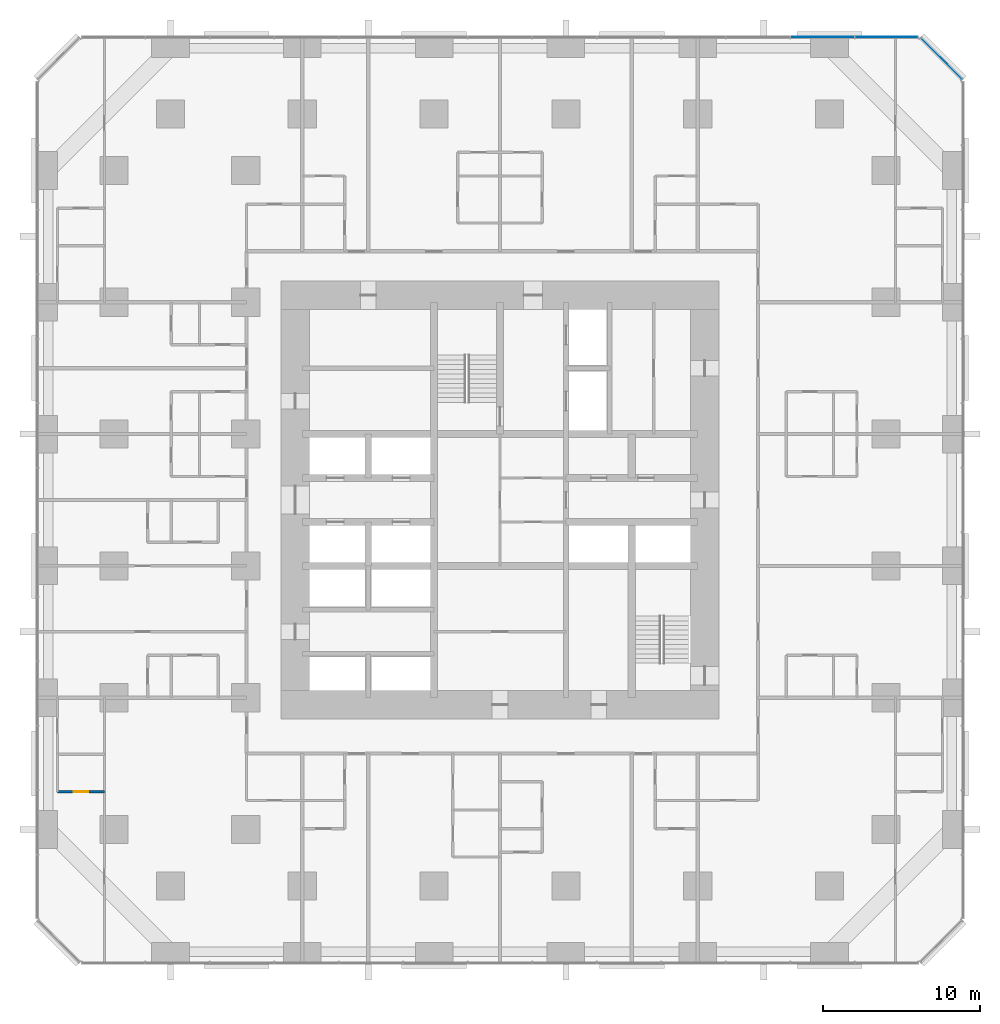
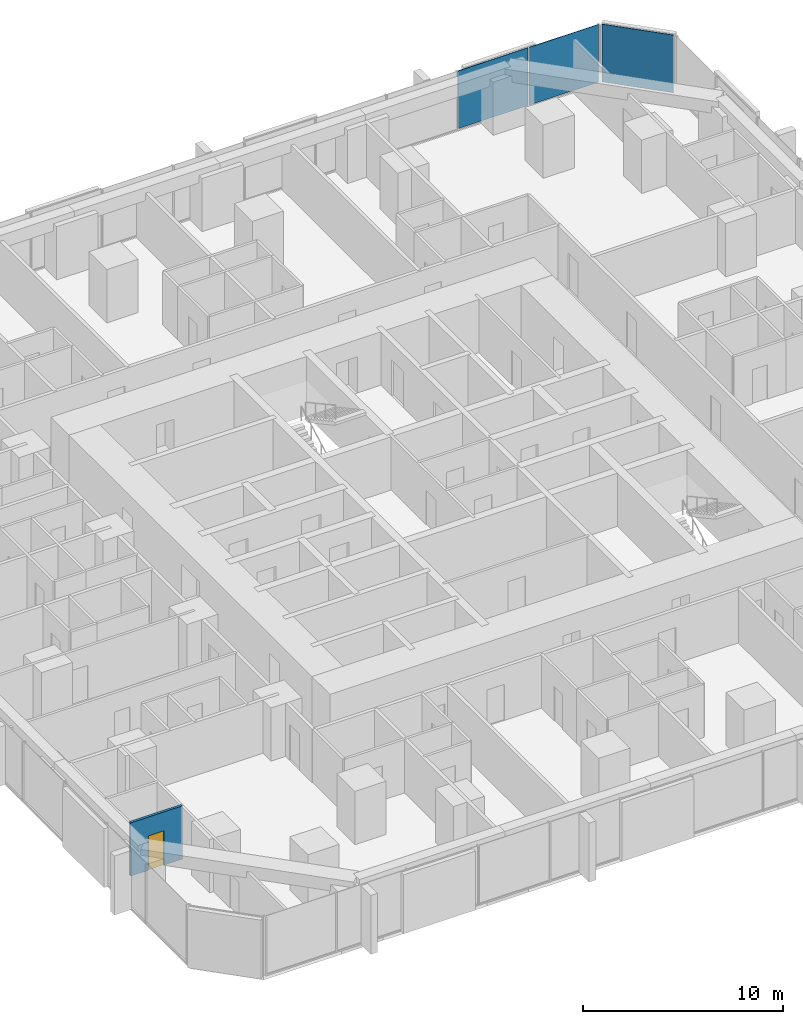
# One storey, part 10 of 17: 3 plates, 1 door, 1 wall, 1 opening, 2 elements without a shape of their own.
"""IFC4 building model written with IfcOpenShell, lengths in metres."""

from ifc_helpers import new_model, si_unit, direction, frame, frame_2d, origin, origin_2d, place, context, subcontext, project, spatial, rectangle, extrude, material, layer, layer_set, type_object, element, fill, aggregate, save


model = new_model("IFC4")

# Units and contexts
model_context = context("Model", 3, precision=1e-05, world=origin(), true_north=direction((0.0, 1.0)))
body_context = subcontext(model_context, "Body", "Model", "MODEL_VIEW")
ifc_project = project(units=[si_unit("LENGTHUNIT", "METRE"), si_unit("AREAUNIT", "SQUARE_METRE"), si_unit("VOLUMEUNIT", "CUBIC_METRE"), si_unit("PLANEANGLEUNIT", "RADIAN"), si_unit("MASSUNIT", "GRAM", prefix="KILO")], contexts=[model_context])

# Site, building, storey
site_placement = place(None, origin())
site = spatial("IfcSite", under=ifc_project, at=site_placement, CompositionType="ELEMENT")
building_placement = place(site_placement, origin())
building = spatial("IfcBuilding", under=site, at=building_placement, Name="Dunama Terrace Hotel", CompositionType="ELEMENT")
storey_placement = place(building_placement, frame((0.0, 0.0, 37.800048828125)))
storey = spatial("IfcBuildingStorey", under=building, at=storey_placement, Name="L08", CompositionType="ELEMENT", Elevation=37.800048828125)

# Curtain wall, plate
ifc_material_1 = material(Name="Aluminium curtain wall system", Category="aluminium")
curtain_wall_type = type_object("IfcCurtainWallType", Name="Unitised fritted glass wall CW-A", PredefinedType="NOTDEFINED", material=ifc_material_1)
curtain_wall_1_placement = place(storey_placement, origin())
curtain_wall_1 = element("IfcCurtainWall", 1, at=curtain_wall_1_placement, inside=storey, type_object=curtain_wall_type, Name="Unitised fritted glass wall CW-A L08", PredefinedType="NOTDEFINED")
ifc_material_2 = material(Name="Laminated glass", Category="glass")
ifc_layer_1 = layer(ifc_material_2, 0.030029296875)
ifc_layer_set_1 = layer_set([ifc_layer_1], Name="CWA clear glass panel")
plate_type_1 = type_object("IfcPlateType", Name="CWA clear glass panel", PredefinedType="CURTAIN_PANEL", material=ifc_layer_set_1)
plate_1_placement = place(storey_placement, frame((57.52099609375, 57.52099609375, 0.074951171875), z_axis=(0.0, 0.0, 1.0), x_axis=(-0.707106781187, 0.707106781187, 0.0)))
plate_1 = element("IfcPlate", 2, at=plate_1_placement, type_object=plate_type_1, Name="CWA clear glass panel", PredefinedType="CURTAIN_PANEL", context=body_context, shape_type="SweptSolid", body=[
    extrude(rectangle(XDim=3.6884765625, YDim=0.030029296875, at=origin_2d()), origin(), (0.0, 0.0, 1.0), 3.52490234375),
])
aggregate(curtain_wall_1, [plate_1])

# Curtain wall, plates
curtain_wall_2_placement = place(storey_placement, origin())
curtain_wall_2 = element("IfcCurtainWall", 3, at=curtain_wall_2_placement, inside=storey, type_object=curtain_wall_type, Name="Unitised fritted glass wall CW-A L08", PredefinedType="NOTDEFINED")
ifc_material_3 = material(Name="Fritted laminated glass", Category="glass")
ifc_layer_2 = layer(ifc_material_3, 0.030029296875)
ifc_layer_set_2 = layer_set([ifc_layer_2], Name="CWA fritted glass panel")
plate_type_2 = type_object("IfcPlateType", Name="CWA fritted glass panel", PredefinedType="CURTAIN_PANEL", material=ifc_layer_set_2)
plate_2_placement = place(storey_placement, frame((49.93798828125, 58.89990234375, 0.074951171875), z_axis=(0.0, 0.0, 1.0), x_axis=(-1.0, 0.0, 0.0)))
plate_2 = element("IfcPlate", 4, at=plate_2_placement, type_object=plate_type_2, Name="CWA fritted glass panel", PredefinedType="CURTAIN_PANEL", context=body_context, shape_type="SweptSolid", body=[
    extrude(rectangle(XDim=4.042724609375, YDim=0.030029296875, at=origin_2d()), origin(), (0.0, 0.0, 1.0), 3.52490234375),
])
ifc_material_4 = material(Name="Laminated glass", Category="glass")
ifc_layer_3 = layer(ifc_material_4, 0.030029296875)
ifc_layer_set_3 = layer_set([ifc_layer_3], Name="CWA operable glass panel")
plate_type_3 = type_object("IfcPlateType", Name="CWA operable glass panel", PredefinedType="CURTAIN_PANEL", material=ifc_layer_set_3)
plate_3_placement = place(storey_placement, frame((54.030029296875, 58.89990234375, 0.074951171875), z_axis=(0.0, 0.0, 1.0), x_axis=(-1.0, 0.0, 0.0)))
plate_3 = element("IfcPlate", 5, at=plate_3_placement, type_object=plate_type_3, Name="CWA operable glass panel", PredefinedType="CURTAIN_PANEL", context=body_context, shape_type="SweptSolid", body=[
    extrude(rectangle(XDim=4.01025390625, YDim=0.030029296875, at=origin_2d()), origin(), (0.0, 0.0, 1.0), 3.52490234375),
])
aggregate(curtain_wall_2, [plate_3, plate_2])

# Wall, opening, door
ifc_material_5 = material(Name="Gypsum board partition", Category="masonry")
ifc_layer_4 = layer(ifc_material_5, 0.14990234375)
ifc_layer_set_4 = layer_set([ifc_layer_4], Name="Room partition 150")
wall_type = type_object("IfcWallType", Name="Room partition 150", PredefinedType="PARTITIONING", material=ifc_layer_set_4)
wall_placement = place(storey_placement, frame((1.199951171875, 10.800048828125, 0.0), z_axis=(0.0, 0.0, 1.0), x_axis=(1.0, 0.0, 0.0)))
wall = element("IfcWall", 6, at=wall_placement, inside=storey, type_object=wall_type, Name="Room partition 150 L08", PredefinedType="PARTITIONING", context=body_context, shape_type="SweptSolid", body=[
    extrude(rectangle(XDim=3.0, YDim=0.14990234375, at=frame_2d((1.5, 0.0))), origin(), (0.0, 0.0, 1.0), 3.25),
])
opening_placement = place(wall_placement, frame((1.050048828125, 0.0, 0.0)))
opening = element("IfcOpeningElement", 7, at=opening_placement, cuts=wall, Name="Opening L07-09-062", PredefinedType="OPENING", context=body_context, shape_type="SweptSolid", body=[
    extrude(rectangle(XDim=0.89990234375, YDim=2.10009765625, at=frame_2d((0.449951171875, 1.050048828125))), frame((0.0, 0.0849609375, 0.0), z_axis=(0.0, -1.0, 0.0), x_axis=(1.0, 0.0, 0.0)), (0.0, 0.0, 1.0), 0.169921875),
])
ifc_material_6 = material(Name="Timber door with steel frame", Category="steel")
door_type = type_object("IfcDoorType", Name="Suite internal door 900", OperationType="SINGLE_SWING_LEFT", PredefinedType="DOOR", material=ifc_material_6)
door_placement = place(opening_placement, origin())
door = element("IfcDoor", 8, at=door_placement, inside=storey, type_object=door_type, Name="Door to dressing room L07-09-062, type D16", OperationType="SINGLE_SWING_LEFT", OverallHeight=2.10009765625, OverallWidth=0.89990234375, PredefinedType="DOOR", context=body_context, shape_type="SweptSolid", body=[
    extrude(rectangle(XDim=0.89990234375, YDim=2.10009765625, at=frame_2d((0.449951171875, 1.050048828125))), frame((0.0, 0.02490234375, 0.0), z_axis=(0.0, -1.0, 0.0), x_axis=(1.0, 0.0, 0.0)), (0.0, 0.0, 1.0), 0.050048828125),
])
fill(opening, door)

save(model, "model.ifc")
